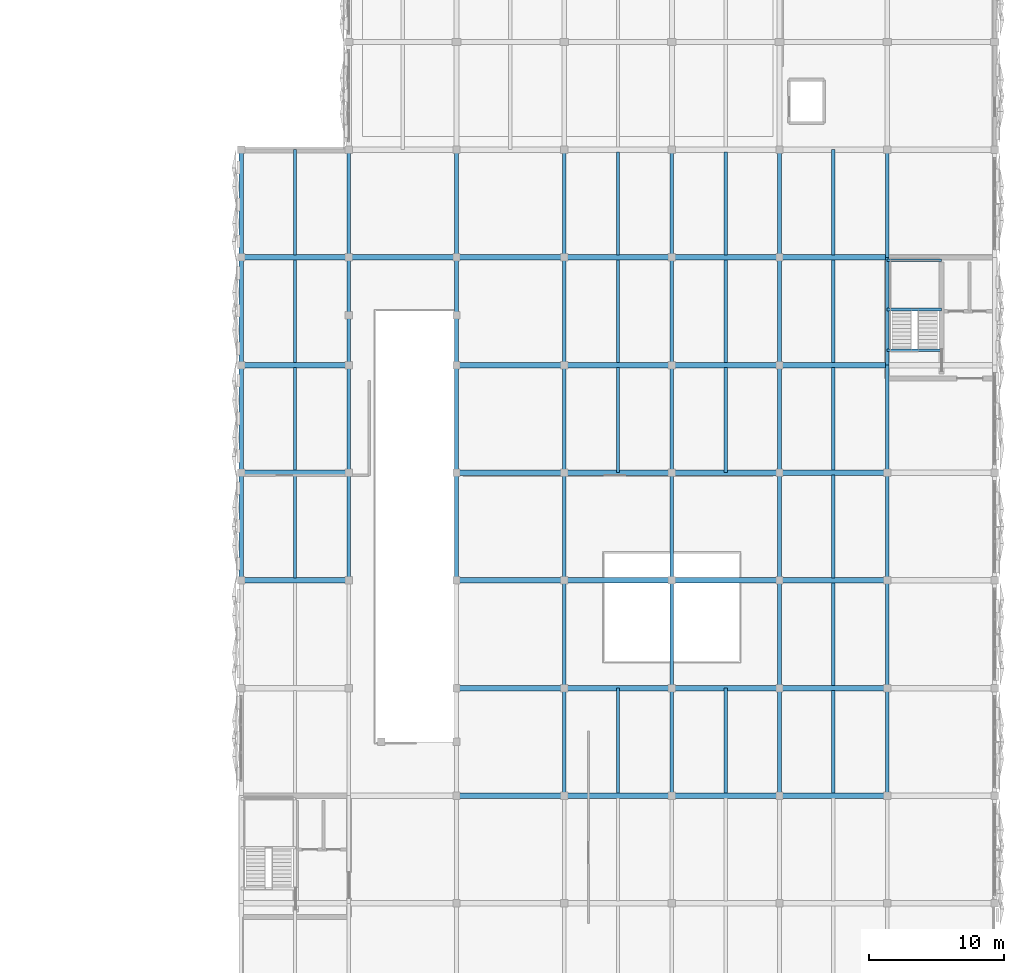
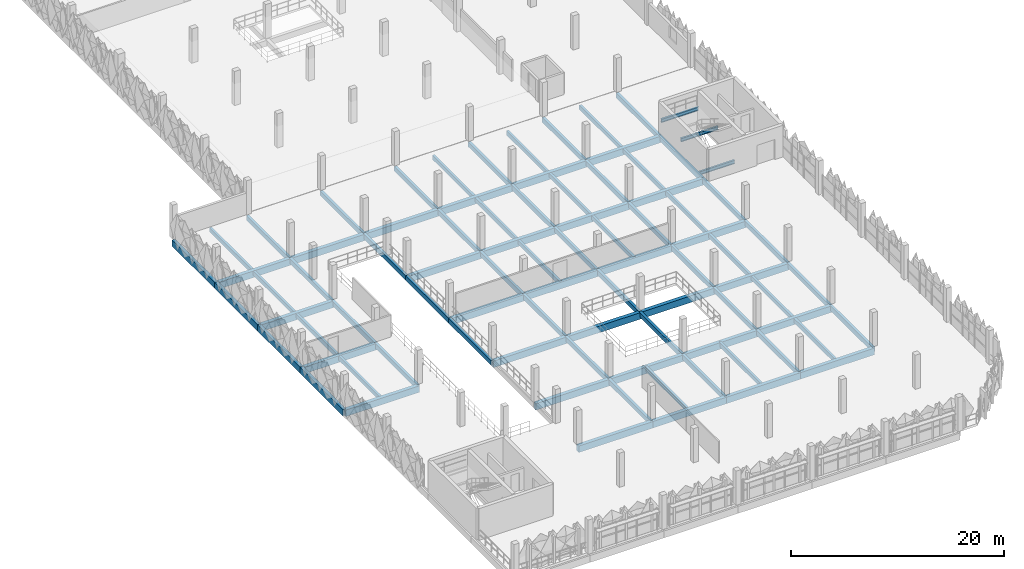
# One storey, part 18 of 83: 86 beams.
"""IFC4 building model written with IfcOpenShell, lengths in metres."""

from ifc_helpers import new_model, si_unit, derived_unit, direction, frame, origin, origin_2d, place, context, subcontext, project, spatial, rectangle, i_section, extrude, material, material_profile, profile_set, type_object, element, save


model = new_model("IFC4")

# Units and contexts
model_context = context("Model", 3, precision=1e-05, world=origin(), true_north=direction((0.0, 1.0)))
body_context = subcontext(model_context, "Body", "Model", "MODEL_VIEW")
ifc_project = project(units=[si_unit("LENGTHUNIT", "METRE"), si_unit("AREAUNIT", "SQUARE_METRE"), si_unit("VOLUMEUNIT", "CUBIC_METRE"), si_unit("PLANEANGLEUNIT", "RADIAN"), si_unit("MASSUNIT", "GRAM", prefix="KILO"), si_unit("THERMODYNAMICTEMPERATUREUNIT", "KELVIN"), derived_unit("THERMALTRANSMITTANCEUNIT", [(si_unit("POWERUNIT", "WATT"), 1), (si_unit("AREAUNIT", "SQUARE_METRE"), -1), (si_unit("THERMODYNAMICTEMPERATUREUNIT", "KELVIN"), -1)])], contexts=[model_context])

# Site, building, storey
site_placement = place(None, origin())
site = spatial("IfcSite", under=ifc_project, at=site_placement, CompositionType="ELEMENT")
building_placement = place(site_placement, origin())
building = spatial("IfcBuilding", under=site, at=building_placement, Name="Haiyu Intermodal Mobility Hub", CompositionType="ELEMENT")
storey_placement = place(building_placement, frame((0.0, 0.0, 13.39990234375)))
storey = spatial("IfcBuildingStorey", under=building, at=storey_placement, Name="L03", CompositionType="ELEMENT", Elevation=13.39990234375)

# Beams
ifc_material_1 = material(Name="Concrete C40", Category="concrete")
ifc_material_profile_1 = material_profile(ifc_material_1, rectangle(XDim=0.39990234375, YDim=0.75, at=origin_2d()), Name="RCB400x750")
ifc_profile_set_1 = profile_set([ifc_material_profile_1], Name="Concrete C40")
beam_type_1 = type_object("IfcBeamType", Name="BM-CB03", PredefinedType="BEAM", material=ifc_profile_set_1)
for number, where, z_axis, x_axis, name in (
    (1, (170.0, 32.0, -0.635009765625), (1.0, 0.0, 0.0), (0.0, 1.0, 0.0), "BM-V5G-L03-016"),
    (2, (178.0, 32.0, -0.635009765625), (1.0, 0.0, 0.0), (0.0, 1.0, 0.0), "BM-V5G-L03-017"),
    (3, (186.0, 32.0, -0.635009765625), (1.0, 0.0, 0.0), (0.0, 1.0, 0.0), "BM-V5G-L03-018"),
    (4, (194.0, 32.0, -0.635009765625), (1.0, 0.0, 0.0), (0.0, 1.0, 0.0), "BM-V5G-L03-019"),
    (5, (170.0, 40.0, -0.635009765625), (1.0, 0.0, 0.0), (0.0, 1.0, 0.0), "BM-V5G-L03-023"),
    (6, (178.0, 40.0, -0.635009765625), (1.0, 0.0, 0.0), (0.0, 1.0, 0.0), "BM-V5G-L03-024"),
    (7, (186.0, 40.0, -0.635009765625), (1.0, 0.0, 0.0), (0.0, 1.0, 0.0), "BM-V5G-L03-025"),
    (8, (194.0, 40.0, -0.635009765625), (1.0, 0.0, 0.0), (0.0, 1.0, 0.0), "BM-V5G-L03-026"),
    (9, (154.0, 48.0, -0.635009765625), (1.0, 0.0, 0.0), (0.0, 1.0, 0.0), "BM-V5G-L03-028"),
    (10, (170.0, 48.0, -0.635009765625), (1.0, 0.0, 0.0), (0.0, 1.0, 0.0), "BM-V5G-L03-030"),
    (11, (178.0, 48.0, -0.635009765625), (1.0, 0.0, 0.0), (0.0, 1.0, 0.0), "BM-V5G-L03-031"),
    (12, (186.0, 48.0, -0.635009765625), (1.0, 0.0, 0.0), (0.0, 1.0, 0.0), "BM-V5G-L03-032"),
    (13, (194.0, 48.0, -0.635009765625), (1.0, 0.0, 0.0), (0.0, 1.0, 0.0), "BM-V5G-L03-033"),
    (14, (154.0, 56.0, -0.635009765625), (1.0, 0.0, 0.0), (0.0, 1.0, 0.0), "BM-V5G-L03-035"),
    (15, (170.0, 56.0, -0.635009765625), (1.0, 0.0, 0.0), (0.0, 1.0, 0.0), "BM-V5G-L03-037"),
    (16, (178.0, 56.0, -0.635009765625), (1.0, 0.0, 0.0), (0.0, 1.0, 0.0), "BM-V5G-L03-038"),
    (17, (186.0, 56.0, -0.635009765625), (1.0, 0.0, 0.0), (0.0, 1.0, 0.0), "BM-V5G-L03-039"),
    (18, (194.0, 56.0, -0.635009765625), (1.0, 0.0, 0.0), (0.0, 1.0, 0.0), "BM-V5G-L03-040"),
    (19, (154.0, 64.0, -0.635009765625), (1.0, 0.0, 0.0), (0.0, 1.0, 0.0), "BM-V5G-L03-042"),
    (20, (170.0, 64.0, -0.635009765625), (1.0, 0.0, 0.0), (0.0, 1.0, 0.0), "BM-V5G-L03-044"),
    (21, (178.0, 64.0, -0.635009765625), (1.0, 0.0, 0.0), (0.0, 1.0, 0.0), "BM-V5G-L03-045"),
    (22, (186.0, 64.0, -0.635009765625), (1.0, 0.0, 0.0), (0.0, 1.0, 0.0), "BM-V5G-L03-046"),
    (23, (194.0, 64.0, -0.635009765625), (1.0, 0.0, 0.0), (0.0, 1.0, 0.0), "BM-V5G-L03-047"),
    (24, (154.0, 72.0, -0.635009765625), (1.0, 0.0, 0.0), (0.0, 1.0, 0.0), "BM-V5G-L03-049"),
    (25, (162.0, 72.0, -0.635009765625), (1.0, 0.0, 0.0), (0.0, 1.0, 0.0), "BM-V5G-L03-050"),
    (26, (170.0, 72.0, -0.635009765625), (1.0, 0.0, 0.0), (0.0, 1.0, 0.0), "BM-V5G-L03-051"),
    (27, (178.0, 72.0, -0.635009765625), (1.0, 0.0, 0.0), (0.0, 1.0, 0.0), "BM-V5G-L03-052"),
    (28, (186.0, 72.0, -0.635009765625), (1.0, 0.0, 0.0), (0.0, 1.0, 0.0), "BM-V5G-L03-053"),
    (29, (194.0, 72.0, -0.635009765625), (1.0, 0.0, 0.0), (0.0, 1.0, 0.0), "BM-V5G-L03-054"),
):
    element("IfcBeam", number, at=place(storey_placement, frame(where, z_axis=z_axis, x_axis=x_axis)), inside=storey, type_object=beam_type_1, Name=name, PredefinedType="BEAM", context=body_context, shape_type="SweptSolid", body=[
        extrude(rectangle(XDim=0.39990234375, YDim=0.75, at=origin_2d()), origin(), (0.0, 0.0, 1.0), 8.0),
    ])
ifc_material_profile_2 = material_profile(ifc_material_1, rectangle(XDim=0.35009765625, YDim=0.699951171875, at=origin_2d()), Name="RCB350x700")
ifc_profile_set_2 = profile_set([ifc_material_profile_2], Name="Concrete C40")
beam_type_2 = type_object("IfcBeamType", Name="BM-CB06", PredefinedType="BEAM", material=ifc_profile_set_2)
for number, where, z_axis, x_axis, name in (
    (30, (154.0, 48.0, -0.60986328125), (0.0, 1.0, 0.0), (-1.0, 0.0, 0.0), "BM-V5T-L03-005"),
    (31, (154.0, 56.0, -0.60986328125), (0.0, 1.0, 0.0), (-1.0, 0.0, 0.0), "BM-V5T-L03-006"),
    (32, (154.0, 64.0, -0.60986328125), (0.0, 1.0, 0.0), (-1.0, 0.0, 0.0), "BM-V5T-L03-007"),
    (33, (154.0, 72.0, -0.60986328125), (0.0, 1.0, 0.0), (-1.0, 0.0, 0.0), "BM-V5T-L03-008"),
):
    element("IfcBeam", number, at=place(storey_placement, frame(where, z_axis=z_axis, x_axis=x_axis)), inside=storey, type_object=beam_type_2, Name=name, PredefinedType="BEAM", context=body_context, shape_type="SweptSolid", body=[
        extrude(rectangle(XDim=0.35009765625, YDim=0.699951171875, at=origin_2d()), origin(), (0.0, 0.0, 1.0), 8.0),
    ])
ifc_material_profile_3 = material_profile(ifc_material_1, rectangle(XDim=0.280029296875, YDim=0.5400390625, at=origin_2d()), Name="RCB280x540")
ifc_profile_set_3 = profile_set([ifc_material_profile_3], Name="Concrete C40")
beam_type_3 = type_object("IfcBeamType", Name="BM-CB08", PredefinedType="JOIST", material=ifc_profile_set_3)
for number, where, z_axis, x_axis, name in (
    (34, (162.0, 48.0, -0.52978515625), (0.0, 1.0, 0.0), (-1.0, 0.0, 0.0), "BM-V5T-L03-013"),
    (35, (162.0, 56.0, -0.52978515625), (0.0, 1.0, 0.0), (-1.0, 0.0, 0.0), "BM-V5T-L03-014"),
    (36, (162.0, 64.0, -0.52978515625), (0.0, 1.0, 0.0), (-1.0, 0.0, 0.0), "BM-V5T-L03-015"),
    (37, (162.0, 72.0, -0.52978515625), (0.0, 1.0, 0.0), (-1.0, 0.0, 0.0), "BM-V5T-L03-016"),
    (38, (170.0, 48.0, -0.52978515625), (0.0, 1.0, 0.0), (-1.0, 0.0, 0.0), "BM-V5T-L03-021"),
    (39, (170.0, 56.0, -0.52978515625), (0.0, 1.0, 0.0), (-1.0, 0.0, 0.0), "BM-V5T-L03-022"),
    (40, (170.0, 64.0, -0.52978515625), (0.0, 1.0, 0.0), (-1.0, 0.0, 0.0), "BM-V5T-L03-023"),
    (41, (170.0, 72.0, -0.52978515625), (0.0, 1.0, 0.0), (-1.0, 0.0, 0.0), "BM-V5T-L03-024"),
    (42, (178.0, 32.0, -0.52978515625), (0.0, 1.0, 0.0), (-1.0, 0.0, 0.0), "BM-V5T-L03-027"),
    (43, (178.0, 40.0, -0.52978515625), (0.0, 1.0, 0.0), (-1.0, 0.0, 0.0), "BM-V5T-L03-028"),
    (44, (178.0, 48.0, -0.52978515625), (0.0, 1.0, 0.0), (-1.0, 0.0, 0.0), "BM-V5T-L03-029"),
    (45, (178.0, 56.0, -0.52978515625), (0.0, 1.0, 0.0), (-1.0, 0.0, 0.0), "BM-V5T-L03-030"),
    (46, (178.0, 64.0, -0.52978515625), (0.0, 1.0, 0.0), (-1.0, 0.0, 0.0), "BM-V5T-L03-031"),
    (47, (178.0, 72.0, -0.52978515625), (0.0, 1.0, 0.0), (-1.0, 0.0, 0.0), "BM-V5T-L03-032"),
    (48, (186.0, 32.0, -0.52978515625), (0.0, 1.0, 0.0), (-1.0, 0.0, 0.0), "BM-V5T-L03-035"),
    (49, (186.0, 40.0, -0.52978515625), (0.0, 1.0, 0.0), (-1.0, 0.0, 0.0), "BM-V5T-L03-036"),
    (50, (186.0, 48.0, -0.52978515625), (0.0, 1.0, 0.0), (-1.0, 0.0, 0.0), "BM-V5T-L03-037"),
    (51, (186.0, 56.0, -0.52978515625), (0.0, 1.0, 0.0), (-1.0, 0.0, 0.0), "BM-V5T-L03-038"),
    (52, (186.0, 64.0, -0.52978515625), (0.0, 1.0, 0.0), (-1.0, 0.0, 0.0), "BM-V5T-L03-039"),
    (53, (186.0, 72.0, -0.52978515625), (0.0, 1.0, 0.0), (-1.0, 0.0, 0.0), "BM-V5T-L03-040"),
    (54, (194.0, 32.0, -0.52978515625), (0.0, 1.0, 0.0), (-1.0, 0.0, 0.0), "BM-V5T-L03-043"),
    (55, (194.0, 40.0, -0.52978515625), (0.0, 1.0, 0.0), (-1.0, 0.0, 0.0), "BM-V5T-L03-044"),
    (56, (194.0, 48.0, -0.52978515625), (0.0, 1.0, 0.0), (-1.0, 0.0, 0.0), "BM-V5T-L03-045"),
    (57, (194.0, 56.0, -0.52978515625), (0.0, 1.0, 0.0), (-1.0, 0.0, 0.0), "BM-V5T-L03-046"),
    (58, (194.0, 64.0, -0.52978515625), (0.0, 1.0, 0.0), (-1.0, 0.0, 0.0), "BM-V5T-L03-047"),
    (59, (194.0, 72.0, -0.52978515625), (0.0, 1.0, 0.0), (-1.0, 0.0, 0.0), "BM-V5T-L03-048"),
    (60, (202.0, 32.0, -0.52978515625), (0.0, 1.0, 0.0), (-1.0, 0.0, 0.0), "BM-V5T-L03-051"),
    (61, (202.0, 40.0, -0.52978515625), (0.0, 1.0, 0.0), (-1.0, 0.0, 0.0), "BM-V5T-L03-052"),
    (62, (202.0, 48.0, -0.52978515625), (0.0, 1.0, 0.0), (-1.0, 0.0, 0.0), "BM-V5T-L03-053"),
    (63, (202.0, 56.0, -0.52978515625), (0.0, 1.0, 0.0), (-1.0, 0.0, 0.0), "BM-V5T-L03-054"),
    (64, (202.0, 64.0, -0.52978515625), (0.0, 1.0, 0.0), (-1.0, 0.0, 0.0), "BM-V5T-L03-055"),
    (65, (202.0, 72.0, -0.52978515625), (0.0, 1.0, 0.0), (-1.0, 0.0, 0.0), "BM-V5T-L03-056"),
):
    element("IfcBeam", number, at=place(storey_placement, frame(where, z_axis=z_axis, x_axis=x_axis)), inside=storey, type_object=beam_type_3, Name=name, PredefinedType="JOIST", context=body_context, shape_type="SweptSolid", body=[
        extrude(rectangle(XDim=0.280029296875, YDim=0.5400390625, at=origin_2d()), origin(), (0.0, 0.0, 1.0), 8.0),
    ])
ifc_material_profile_4 = material_profile(ifc_material_1, rectangle(XDim=0.25, YDim=0.47998046875, at=origin_2d()), Name="RCB250x480")
ifc_profile_set_4 = profile_set([ifc_material_profile_4], Name="Concrete C40")
beam_type_4 = type_object("IfcBeamType", Name="BM-CB09", PredefinedType="JOIST", material=ifc_profile_set_4)
for number, where, z_axis, x_axis, name in (
    (66, (158.0, 48.18505859375, -0.5), (0.0, 1.0, 0.0), (-1.0, 0.0, 0.0), "BM-V5J-L03-005"),
    (67, (158.0, 56.18505859375, -0.5), (0.0, 1.0, 0.0), (-1.0, 0.0, 0.0), "BM-V5J-L03-006"),
    (68, (158.0, 64.18505859375, -0.5), (0.0, 1.0, 0.0), (-1.0, 0.0, 0.0), "BM-V5J-L03-007"),
):
    element("IfcBeam", number, at=place(storey_placement, frame(where, z_axis=z_axis, x_axis=x_axis)), inside=storey, type_object=beam_type_4, Name=name, PredefinedType="JOIST", context=body_context, shape_type="SweptSolid", body=[
        extrude(rectangle(XDim=0.25, YDim=0.47998046875, at=origin_2d()), origin(), (0.0, 0.0, 1.0), 7.6298828125),
    ])
for number, where, z_axis, x_axis, name in (
    (69, (158.0, 72.18505859375, -0.5), (0.0, 1.0, 0.0), (-1.0, 0.0, 0.0), "BM-V5J-L03-008"),
    (70, (182.0, 32.18505859375, -0.5), (0.0, 1.0, 0.0), (-1.0, 0.0, 0.0), "BM-V5J-L03-011"),
    (71, (182.0, 56.0, -0.5), (0.0, 1.0, 0.0), (-1.0, 0.0, 0.0), "BM-V5J-L03-012"),
):
    element("IfcBeam", number, at=place(storey_placement, frame(where, z_axis=z_axis, x_axis=x_axis)), inside=storey, type_object=beam_type_4, Name=name, PredefinedType="JOIST", context=body_context, shape_type="SweptSolid", body=[
        extrude(rectangle(XDim=0.25, YDim=0.47998046875, at=origin_2d()), origin(), (0.0, 0.0, 1.0), 7.81494140625),
    ])
for number, where, z_axis, x_axis, name in (
    (72, (182.0, 64.18505859375, -0.5), (0.0, 1.0, 0.0), (-1.0, 0.0, 0.0), "BM-V5J-L03-013"),
    (73, (182.0, 72.18505859375, -0.5), (0.0, 1.0, 0.0), (-1.0, 0.0, 0.0), "BM-V5J-L03-014"),
):
    element("IfcBeam", number, at=place(storey_placement, frame(where, z_axis=z_axis, x_axis=x_axis)), inside=storey, type_object=beam_type_4, Name=name, PredefinedType="JOIST", context=body_context, shape_type="SweptSolid", body=[
        extrude(rectangle(XDim=0.25, YDim=0.47998046875, at=origin_2d()), origin(), (0.0, 0.0, 1.0), 7.6298828125),
    ])
for number, where, z_axis, x_axis, name in (
    (74, (190.0, 32.18505859375, -0.5), (0.0, 1.0, 0.0), (-1.0, 0.0, 0.0), "BM-V5J-L03-017"),
    (75, (190.0, 56.0, -0.5), (0.0, 1.0, 0.0), (-1.0, 0.0, 0.0), "BM-V5J-L03-018"),
):
    element("IfcBeam", number, at=place(storey_placement, frame(where, z_axis=z_axis, x_axis=x_axis)), inside=storey, type_object=beam_type_4, Name=name, PredefinedType="JOIST", context=body_context, shape_type="SweptSolid", body=[
        extrude(rectangle(XDim=0.25, YDim=0.47998046875, at=origin_2d()), origin(), (0.0, 0.0, 1.0), 7.81494140625),
    ])
for number, where, z_axis, x_axis, name in (
    (76, (190.0, 64.18505859375, -0.5), (0.0, 1.0, 0.0), (-1.0, 0.0, 0.0), "BM-V5J-L03-019"),
    (77, (190.0, 72.18505859375, -0.5), (0.0, 1.0, 0.0), (-1.0, 0.0, 0.0), "BM-V5J-L03-020"),
    (78, (198.0, 32.18505859375, -0.5), (0.0, 1.0, 0.0), (-1.0, 0.0, 0.0), "BM-V5J-L03-023"),
    (79, (198.0, 40.18505859375, -0.5), (0.0, 1.0, 0.0), (-1.0, 0.0, 0.0), "BM-V5J-L03-024"),
    (80, (198.0, 48.18505859375, -0.5), (0.0, 1.0, 0.0), (-1.0, 0.0, 0.0), "BM-V5J-L03-025"),
    (81, (198.0, 56.18505859375, -0.5), (0.0, 1.0, 0.0), (-1.0, 0.0, 0.0), "BM-V5J-L03-026"),
    (82, (198.0, 64.18505859375, -0.5), (0.0, 1.0, 0.0), (-1.0, 0.0, 0.0), "BM-V5J-L03-027"),
):
    element("IfcBeam", number, at=place(storey_placement, frame(where, z_axis=z_axis, x_axis=x_axis)), inside=storey, type_object=beam_type_4, Name=name, PredefinedType="JOIST", context=body_context, shape_type="SweptSolid", body=[
        extrude(rectangle(XDim=0.25, YDim=0.47998046875, at=origin_2d()), origin(), (0.0, 0.0, 1.0), 7.6298828125),
    ])
beam_placement = place(storey_placement, frame((198.0, 72.18505859375, -0.5), z_axis=(0.0, 1.0, 0.0), x_axis=(-1.0, 0.0, 0.0)))
element("IfcBeam", 83, at=beam_placement, inside=storey, type_object=beam_type_4, Name="BM-V5J-L03-028", PredefinedType="JOIST", context=body_context, shape_type="SweptSolid", body=[
    extrude(rectangle(XDim=0.25, YDim=0.47998046875, at=origin_2d()), origin(), (0.0, 0.0, 1.0), 7.81494140625),
])
ifc_material_2 = material(Name="Steel Q355C", Category="steel")
ifc_material_profile_5 = material_profile(ifc_material_2, i_section(OverallWidth=0.199951171875, OverallDepth=0.39990234375, WebThickness=0.008056640625, FlangeThickness=0.012939453125, FilletRadius=0.01611328125, at=origin_2d()), Name="HN400x200x8x13")
ifc_profile_set_5 = profile_set([ifc_material_profile_5], Name="Steel Q355C")
beam_type_5 = type_object("IfcBeamType", Name="BM-SB08", PredefinedType="JOIST", material=ifc_profile_set_5)
for number, where, z_axis, x_axis, name in (
    (84, (202.0, 65.10009765625, -0.52490234375), (1.0, 0.0, 0.0), (0.0, 1.0, 0.0), "Stair Arrival Trimmer Beam C9-L02"),
    (85, (202.0, 68.1298828125, 1.525146484375), (1.0, 0.0, 0.0), (0.0, 1.0, 0.0), "Stair Half-Landing Front Beam C9-L03"),
    (86, (202.0, 71.780029296875, 1.525146484375), (1.0, 0.0, 0.0), (0.0, 1.0, 0.0), "Stair Half-Landing Rear Beam C9-L03"),
):
    element("IfcBeam", number, at=place(storey_placement, frame(where, z_axis=z_axis, x_axis=x_axis)), inside=storey, type_object=beam_type_5, Name=name, PredefinedType="JOIST", context=body_context, shape_type="SweptSolid", body=[
        extrude(i_section(OverallWidth=0.199951171875, OverallDepth=0.39990234375, WebThickness=0.008056640625, FlangeThickness=0.012939453125, FilletRadius=0.01611328125, at=origin_2d()), origin(), (0.0, 0.0, 1.0), 4.050048828125),
    ])

save(model, "model.ifc")
